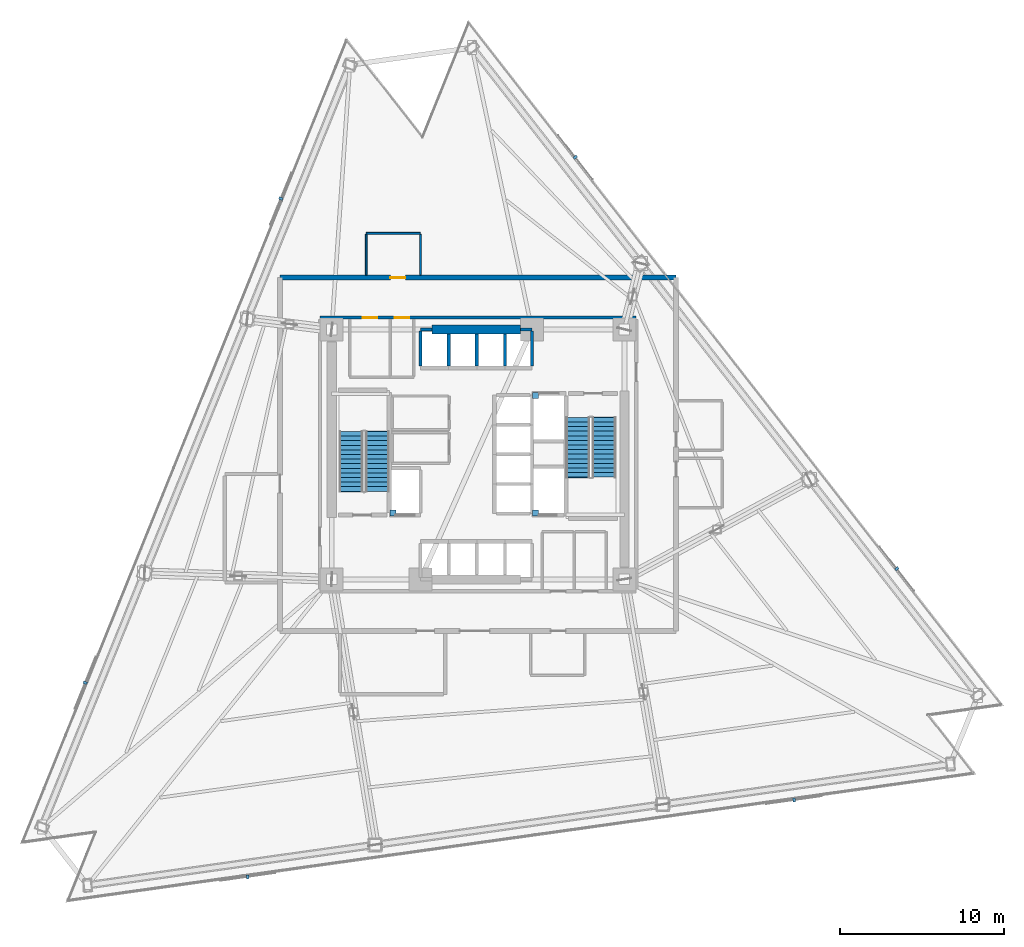
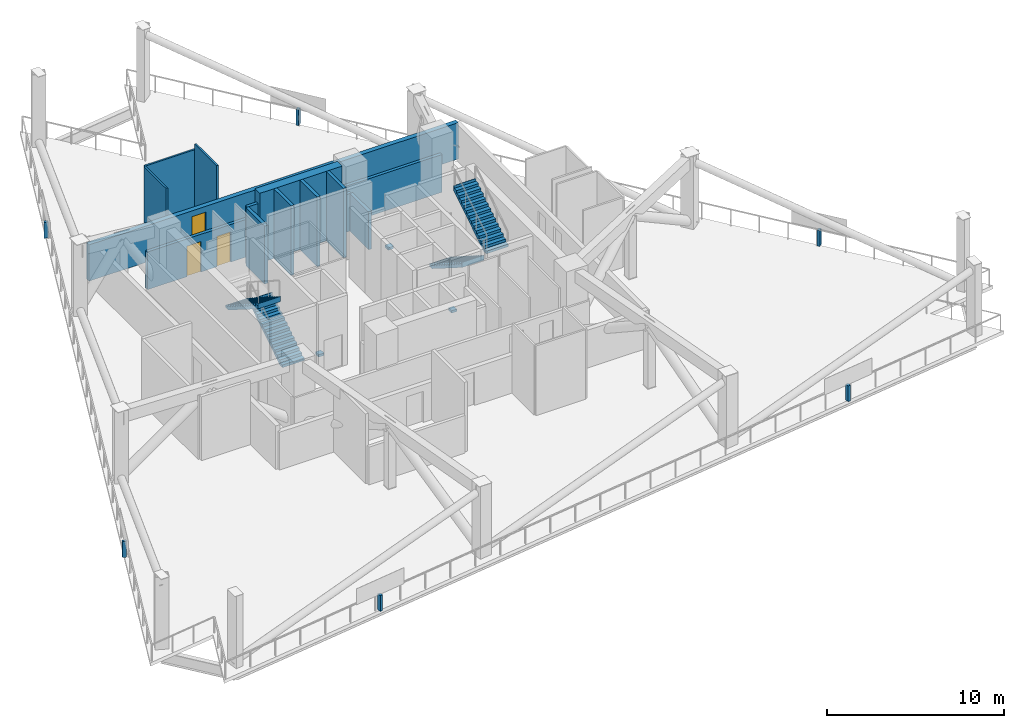
# One storey, part 8 of 13: 13 walls, 9 discrete accessories, 4 stair flights, 3 doors, 3 openings, 2 elements without a shape of their own.
"""IFC4 building model written with IfcOpenShell, lengths in metres."""

from ifc_helpers import new_model, si_unit, direction, frame, frame_2d, origin, origin_2d, place, context, subcontext, project, spatial, polyline, rectangle, outline, extrude, material, layer, layer_set, type_object, element, fill, aggregate, save


model = new_model("IFC4")

# Units and contexts
model_context = context("Model", 3, precision=1e-05, world=origin(), true_north=direction((0.0, 1.0)))
body_context = subcontext(model_context, "Body", "Model", "MODEL_VIEW")
ifc_project = project(units=[si_unit("LENGTHUNIT", "METRE"), si_unit("AREAUNIT", "SQUARE_METRE"), si_unit("VOLUMEUNIT", "CUBIC_METRE"), si_unit("PLANEANGLEUNIT", "RADIAN"), si_unit("MASSUNIT", "GRAM", prefix="KILO")], contexts=[model_context])

# Site, building, storey
site_placement = place(None, origin())
site = spatial("IfcSite", under=ifc_project, at=site_placement, CompositionType="ELEMENT")
building_placement = place(site_placement, origin())
building = spatial("IfcBuilding", under=site, at=building_placement, Name="Tharavind Bronze Gate", CompositionType="ELEMENT")
storey_placement = place(building_placement, frame((0.0, 0.0, 81.10009765625)))
storey = spatial("IfcBuildingStorey", under=building, at=storey_placement, Name="L20", CompositionType="ELEMENT", Elevation=81.10009765625)

# Wall, opening, door
ifc_material_1 = material(Name="Concrete C40/50", Category="concrete")
ifc_layer_1 = layer(ifc_material_1, 0.300048828125)
ifc_layer_set_1 = layer_set([ifc_layer_1], Name="Concrete C40/50")
wall_type_1 = type_object("IfcWallType", Name="EXTERIOR SPANDREL WALL 300", PredefinedType="STANDARD", material=ifc_layer_set_1)
wall_1_placement = place(storey_placement, frame((12.050048828125, 10.75, 0.0), z_axis=(0.0, 0.0, 1.0), x_axis=(-1.0, 0.0, 0.0)))
wall_1 = element("IfcWall", 1, at=wall_1_placement, inside=storey, type_object=wall_type_1, Name="L20 open wind floor core enclosure wall 3", PredefinedType="STANDARD", context=body_context, shape_type="SweptSolid", body=[
    extrude(rectangle(XDim=24.10009765625, YDim=0.300048828125, at=frame_2d((12.050048828125, 0.0))), origin(), (0.0, 0.0, 1.0), 2.5048828125),
])
opening_1_placement = place(wall_1_placement, frame((16.47705078125, 0.0, 0.0)))
opening_1 = element("IfcOpeningElement", 2, at=opening_1_placement, cuts=wall_1, Name="Opening ID07", PredefinedType="OPENING", context=body_context, shape_type="SweptSolid", body=[
    extrude(rectangle(XDim=0.89990234375, YDim=2.10009765625, at=frame_2d((0.449951171875, 1.050048828125))), frame((0.0, 0.15990234375, 0.0), z_axis=(0.0, -1.0, 0.0), x_axis=(1.0, 0.0, 0.0)), (0.0, 0.0, 1.0), 0.320048828125),
])
ifc_material_2 = material(Name="Galvanised Fire Steel", Category="steel")
door_type = type_object("IfcDoorType", Name="PLANT AND RISER FIRE DOOR 900X2100", OperationType="SINGLE_SWING_LEFT", PredefinedType="DOOR", material=ifc_material_2)
door_1_placement = place(opening_1_placement, origin())
door_1 = element("IfcDoor", 3, at=door_1_placement, inside=storey, type_object=door_type, Name="L20 Booster Pump Plant Room door", OperationType="SINGLE_SWING_LEFT", OverallHeight=2.10009765625, OverallWidth=0.89990234375, PredefinedType="DOOR", context=body_context, shape_type="SweptSolid", body=[
    extrude(rectangle(XDim=0.89990234375, YDim=2.10009765625, at=frame_2d((0.449951171875, 1.050048828125))), frame((0.0, 0.02490234375, 0.0), z_axis=(0.0, -1.0, 0.0), x_axis=(1.0, 0.0, 0.0)), (0.0, 0.0, 1.0), 0.050048828125),
])
fill(opening_1, door_1)

# Wall, openings, doors
ifc_material_3 = material(Name="Aerated Concrete Block", Category="concrete")
ifc_layer_2 = layer(ifc_material_3, 0.199951171875)
ifc_layer_set_2 = layer_set([ifc_layer_2], Name="Aerated Concrete Block")
wall_type_2 = type_object("IfcWallType", Name="FIRE RATED PARTITION 200", PredefinedType="PARTITIONING", material=ifc_layer_set_2)
wall_2_placement = place(storey_placement, frame((9.6201171875, 8.320068359375, 0.0), z_axis=(0.0, 0.0, 1.0), x_axis=(-1.0, 0.0, 0.0)))
wall_2 = element("IfcWall", 4, at=wall_2_placement, inside=storey, type_object=wall_type_2, Name="L20 north core corridor wall", PredefinedType="PARTITIONING", context=body_context, shape_type="SweptSolid", body=[
    extrude(rectangle(XDim=19.240234375, YDim=0.199951171875, at=frame_2d((9.6201171875, 0.0))), origin(), (0.0, 0.0, 1.0), 2.60498046875),
])
opening_2_placement = place(wall_2_placement, frame((15.7451171875, 0.0, 0.0)))
opening_2 = element("IfcOpeningElement", 5, at=opening_2_placement, cuts=wall_2, Name="Opening ID07", PredefinedType="OPENING", context=body_context, shape_type="SweptSolid", body=[
    extrude(rectangle(XDim=0.89990234375, YDim=2.10009765625, at=frame_2d((0.449951171875, 1.050048828125))), frame((0.0, 0.11009765625, 0.0), z_axis=(0.0, -1.0, 0.0), x_axis=(1.0, 0.0, 0.0)), (0.0, 0.0, 1.0), 0.219951171875),
])
opening_3_placement = place(wall_2_placement, frame((13.794921875, 0.0, 0.0)))
opening_3 = element("IfcOpeningElement", 6, at=opening_3_placement, cuts=wall_2, Name="Opening ID07", PredefinedType="OPENING", context=body_context, shape_type="SweptSolid", body=[
    extrude(rectangle(XDim=0.89990234375, YDim=2.10009765625, at=frame_2d((0.449951171875, 1.050048828125))), frame((0.0, 0.11009765625, 0.0), z_axis=(0.0, -1.0, 0.0), x_axis=(1.0, 0.0, 0.0)), (0.0, 0.0, 1.0), 0.219951171875),
])
door_2_placement = place(opening_2_placement, frame((0.89990234375, 0.0, 0.0), z_axis=(0.0, 0.0, 1.0), x_axis=(-1.0, 0.0, 0.0)))
door_2 = element("IfcDoor", 7, at=door_2_placement, inside=storey, type_object=door_type, Name="L20 MEP Switchgear Room fire door", OperationType="SINGLE_SWING_LEFT", OverallHeight=2.10009765625, OverallWidth=0.89990234375, PredefinedType="DOOR", context=body_context, shape_type="SweptSolid", body=[
    extrude(rectangle(XDim=0.89990234375, YDim=2.10009765625, at=frame_2d((0.449951171875, 1.050048828125))), frame((0.0, 0.02490234375, 0.0), z_axis=(0.0, -1.0, 0.0), x_axis=(1.0, 0.0, 0.0)), (0.0, 0.0, 1.0), 0.050048828125),
])
fill(opening_2, door_2)
door_3_placement = place(opening_3_placement, frame((0.89990234375, 0.0, 0.0), z_axis=(0.0, 0.0, 1.0), x_axis=(-1.0, 0.0, 0.0)))
door_3 = element("IfcDoor", 8, at=door_3_placement, inside=storey, type_object=door_type, Name="L20 Mechanical Riser Plant Room fire door", OperationType="SINGLE_SWING_LEFT", OverallHeight=2.10009765625, OverallWidth=0.89990234375, PredefinedType="DOOR", context=body_context, shape_type="SweptSolid", body=[
    extrude(rectangle(XDim=0.89990234375, YDim=2.10009765625, at=frame_2d((0.449951171875, 1.050048828125))), frame((0.0, 0.02490234375, 0.0), z_axis=(0.0, -1.0, 0.0), x_axis=(1.0, 0.0, 0.0)), (0.0, 0.0, 1.0), 0.050048828125),
])
fill(opening_3, door_3)

# Walls
ifc_material_4 = material(Name="Metal Stud Gypsum Partition", Category="gypsum")
ifc_layer_3 = layer(ifc_material_4, 0.1201171875)
ifc_layer_set_3 = layer_set([ifc_layer_3], Name="Metal Stud Gypsum Partition")
wall_type_3 = type_object("IfcWallType", Name="INTERIOR PARTITION WALL 120", PredefinedType="PARTITIONING", material=ifc_layer_set_3)
wall_3_placement = place(storey_placement, frame((-6.800048828125, 13.449951171875, 0.0), z_axis=(0.0, 0.0, 1.0), x_axis=(1.0, 0.0, 0.0)))
element("IfcWall", 9, at=wall_3_placement, inside=storey, type_object=wall_type_3, Name="L20 Booster Pump Plant Room partition", PredefinedType="PARTITIONING", context=body_context, shape_type="SweptSolid", body=[
    extrude(rectangle(XDim=3.300048828125, YDim=0.1201171875, at=frame_2d((1.64990234375, 0.0))), origin(), (0.0, 0.0, 1.0), 4.40478515625),
])
wall_4_placement = place(storey_placement, frame((-3.5, 13.385009765625, 0.0), z_axis=(0.0, 0.0, 1.0), x_axis=(0.0, -1.0, 0.0)))
element("IfcWall", 10, at=wall_4_placement, inside=storey, type_object=wall_type_3, Name="L20 Booster Pump Plant Room partition", PredefinedType="PARTITIONING", context=body_context, shape_type="SweptSolid", body=[
    extrude(rectangle(XDim=2.47998046875, YDim=0.1201171875, at=frame_2d((1.239990234375, 0.0))), origin(), (0.0, 0.0, 1.0), 4.809814453125),
])
wall_5_placement = place(storey_placement, frame((-6.800048828125, 10.905029296875, 0.0), z_axis=(0.0, 0.0, 1.0), x_axis=(0.0, 1.0, 0.0)))
element("IfcWall", 11, at=wall_5_placement, inside=storey, type_object=wall_type_3, Name="L20 Booster Pump Plant Room partition", PredefinedType="PARTITIONING", context=body_context, shape_type="SweptSolid", body=[
    extrude(rectangle(XDim=2.47998046875, YDim=0.1201171875, at=frame_2d((1.239990234375, 0.0))), origin(), (0.0, 0.0, 1.0), 4.40478515625),
])
ifc_material_5 = material(Name="Concrete C60/75", Category="concrete")
ifc_layer_4 = layer(ifc_material_5, 0.550048828125)
ifc_layer_set_4 = layer_set([ifc_layer_4], Name="Concrete C60/75")
wall_type_4 = type_object("IfcWallType", Name="RC CORE SHEAR WALL 550", PredefinedType="SHEAR", material=ifc_layer_set_4)
wall_6_placement = place(storey_placement, frame((-2.800048828125, 7.60009765625, 0.0), z_axis=(0.0, 0.0, 1.0), x_axis=(1.0, 0.0, 0.0)))
element("IfcWall", 12, at=wall_6_placement, inside=storey, type_object=wall_type_4, Name="L20 north core shear wall", PredefinedType="SHEAR", context=body_context, shape_type="SweptSolid", body=[
    extrude(rectangle(XDim=5.380126953125, YDim=0.550048828125, at=frame_2d((2.68994140625, 0.0))), origin(), (0.0, 0.0, 1.0), 4.809814453125),
])
ifc_layer_5 = layer(ifc_material_1, 0.199951171875)
ifc_layer_set_5 = layer_set([ifc_layer_5], Name="Concrete C40/50")
wall_type_5 = type_object("IfcWallType", Name="SHAFT ENCLOSURE WALL 200", PredefinedType="PARTITIONING", material=ifc_layer_set_5)
wall_7_placement = place(storey_placement, frame((-3.5, 7.60009765625, 0.0), z_axis=(0.0, 0.0, 1.0), x_axis=(1.0, 0.0, 0.0)))
element("IfcWall", 13, at=wall_7_placement, inside=storey, type_object=wall_type_5, Name="L20 lift PL5 shaft N enclosure wall", PredefinedType="PARTITIONING", context=body_context, shape_type="SweptSolid", body=[
    extrude(rectangle(XDim=0.699951171875, YDim=0.199951171875, at=frame_2d((0.35009765625, 0.0))), origin(), (0.0, 0.0, 1.0), 4.0048828125),
])
wall_8_placement = place(storey_placement, frame((-3.5, 5.3798828125, 0.0), z_axis=(0.0, 0.0, 1.0), x_axis=(0.0, 1.0, 0.0)))
element("IfcWall", 14, at=wall_8_placement, inside=storey, type_object=wall_type_5, Name="L20 lift PL5 shaft W enclosure wall", PredefinedType="PARTITIONING", context=body_context, shape_type="SweptSolid", body=[
    extrude(rectangle(XDim=2.115234375, YDim=0.199951171875, at=frame_2d((1.0576171875, 0.0))), origin(), (0.0, 0.0, 1.0), 4.0048828125),
])
for number, where, z_axis, x_axis, name in (
    (15, (-1.78759765625, 5.3798828125, 0.0), (0.0, 0.0, 1.0), (0.0, 1.0, 0.0), "L20 lift PL5 shaft E enclosure wall"),
    (16, (-0.074951171875, 5.3798828125, 0.0), (0.0, 0.0, 1.0), (0.0, 1.0, 0.0), "L20 lift PL6 shaft E enclosure wall"),
    (17, (1.637451171875, 5.3798828125, 0.0), (0.0, 0.0, 1.0), (0.0, 1.0, 0.0), "L20 lift PL7 shaft E enclosure wall"),
):
    element("IfcWall", number, at=place(storey_placement, frame(where, z_axis=z_axis, x_axis=x_axis)), inside=storey, type_object=wall_type_5, Name=name, PredefinedType="PARTITIONING", context=body_context, shape_type="SweptSolid", body=[
        extrude(rectangle(XDim=1.940185546875, YDim=0.199951171875, at=frame_2d((0.97021484375, 0.0))), origin(), (0.0, 0.0, 1.0), 4.809814453125),
    ])
wall_9_placement = place(storey_placement, frame((2.580078125, 7.60009765625, 0.0), z_axis=(0.0, 0.0, 1.0), x_axis=(1.0, 0.0, 0.0)))
element("IfcWall", 18, at=wall_9_placement, inside=storey, type_object=wall_type_5, Name="L20 lift PL8 shaft N enclosure wall", PredefinedType="PARTITIONING", context=body_context, shape_type="SweptSolid", body=[
    extrude(rectangle(XDim=0.699951171875, YDim=0.199951171875, at=frame_2d((0.35009765625, 0.0))), origin(), (0.0, 0.0, 1.0), 2.60498046875),
])
wall_10_placement = place(storey_placement, frame((3.280029296875, 5.3798828125, 0.0), z_axis=(0.0, 0.0, 1.0), x_axis=(0.0, 1.0, 0.0)))
element("IfcWall", 19, at=wall_10_placement, inside=storey, type_object=wall_type_5, Name="L20 lift PL8 shaft E enclosure wall", PredefinedType="PARTITIONING", context=body_context, shape_type="SweptSolid", body=[
    extrude(rectangle(XDim=2.115234375, YDim=0.199951171875, at=frame_2d((1.0576171875, 0.0))), origin(), (0.0, 0.0, 1.0), 2.60498046875),
])

# Stair, stair flights
stair_type = type_object("IfcStairType", Name="CORE HALF TURN STAIR 1450", PredefinedType="HALF_TURN_STAIR", material=ifc_material_1)
stair_1_placement = place(storey_placement, origin())
stair_1 = element("IfcStair", 20, at=stair_1_placement, inside=storey, type_object=stair_type, Name="L20 Protected Exit Stair ST1", PredefinedType="HALF_TURN_STAIR")
stair_flight_type = type_object("IfcStairFlightType", Name="CORE STAIR FLIGHT 1450", PredefinedType="STRAIGHT", material=ifc_material_1)
stair_flight_1_placement = place(storey_placement, frame((-6.125, -2.25, 0.0), z_axis=(0.0, 0.0, 1.0), x_axis=(0.0, 1.0, 0.0)))
stair_flight_1 = element("IfcStairFlight", 21, at=stair_flight_1_placement, type_object=stair_flight_type, Name="ST1 flight 1", NumberOfRisers=14, NumberOfTreads=13, PredefinedType="STRAIGHT", RiserHeight=0.178571429, TreadLength=0.28, context=body_context, shape_type="SweptSolid", body=[
    extrude(outline(polyline([(0.0, 0.0), (0.0, 0.178466796875), (0.280029296875, 0.178466796875), (0.280029296875, 0.357177734375), (0.56005859375, 0.357177734375), (0.56005859375, 0.53564453125), (0.840087890625, 0.53564453125), (0.840087890625, 0.71435546875), (1.1201171875, 0.71435546875), (1.1201171875, 0.892822265625), (1.39990234375, 0.892822265625), (1.39990234375, 1.071533203125), (1.679931640625, 1.071533203125), (1.679931640625, 1.25), (1.9599609375, 1.25), (1.9599609375, 1.428466796875), (2.239990234375, 1.428466796875), (2.239990234375, 1.607177734375), (2.52001953125, 1.607177734375), (2.52001953125, 1.78564453125), (2.800048828125, 1.78564453125), (2.800048828125, 1.96435546875), (3.080078125, 1.96435546875), (3.080078125, 2.142822265625), (3.360107421875, 2.142822265625), (3.360107421875, 2.321533203125), (3.639892578125, 2.321533203125), (3.639892578125, 2.5), (3.676025390625, 2.5), (3.676025390625, 2.1435546875), (0.27880859375, 0.0), (0.0, 0.0)])), frame((0.0, 0.72509765625, 0.0), z_axis=(0.0, -1.0, 0.0), x_axis=(1.0, 0.0, 0.0)), (0.0, 0.0, 1.0), 1.449951171875),
])
stair_flight_2_placement = place(storey_placement, frame((-7.72509765625, 1.389892578125, 2.5), z_axis=(0.0, 0.0, 1.0), x_axis=(0.0, -1.0, 0.0)))
stair_flight_2 = element("IfcStairFlight", 22, at=stair_flight_2_placement, type_object=stair_flight_type, Name="ST1 flight 2", NumberOfRisers=14, NumberOfTreads=13, PredefinedType="STRAIGHT", RiserHeight=0.178571429, TreadLength=0.28, context=body_context, shape_type="SweptSolid", body=[
    extrude(outline(polyline([(0.0, 0.0), (0.0, 0.178466796875), (0.280029296875, 0.178466796875), (0.280029296875, 0.357177734375), (0.56005859375, 0.357177734375), (0.56005859375, 0.53564453125), (0.840087890625, 0.53564453125), (0.840087890625, 0.71435546875), (1.1201171875, 0.71435546875), (1.1201171875, 0.892822265625), (1.39990234375, 0.892822265625), (1.39990234375, 1.071533203125), (1.679931640625, 1.071533203125), (1.679931640625, 1.25), (1.9599609375, 1.25), (1.9599609375, 1.428466796875), (2.239990234375, 1.428466796875), (2.239990234375, 1.607177734375), (2.52001953125, 1.607177734375), (2.52001953125, 1.78564453125), (2.800048828125, 1.78564453125), (2.800048828125, 1.96435546875), (3.080078125, 1.96435546875), (3.080078125, 2.142822265625), (3.360107421875, 2.142822265625), (3.360107421875, 2.321533203125), (3.639892578125, 2.321533203125), (3.639892578125, 2.5), (3.676025390625, 2.5), (3.676025390625, 2.1435546875), (0.27880859375, 0.0), (0.0, 0.0)])), frame((0.0, 0.72509765625, 0.0), z_axis=(0.0, -1.0, 0.0), x_axis=(1.0, 0.0, 0.0)), (0.0, 0.0, 1.0), 1.449951171875),
])
aggregate(stair_1, [stair_flight_1, stair_flight_2])

stair_2_placement = place(storey_placement, origin())
stair_2 = element("IfcStair", 23, at=stair_2_placement, inside=storey, type_object=stair_type, Name="L20 Protected Exit Stair ST2", PredefinedType="HALF_TURN_STAIR")
stair_flight_3_placement = place(storey_placement, frame((6.074951171875, 2.25, 0.0), z_axis=(0.0, 0.0, 1.0), x_axis=(0.0, -1.0, 0.0)))
stair_flight_3 = element("IfcStairFlight", 24, at=stair_flight_3_placement, type_object=stair_flight_type, Name="ST2 flight 1", NumberOfRisers=14, NumberOfTreads=13, PredefinedType="STRAIGHT", RiserHeight=0.178571429, TreadLength=0.28, context=body_context, shape_type="SweptSolid", body=[
    extrude(outline(polyline([(0.0, 0.0), (0.0, 0.178466796875), (0.280029296875, 0.178466796875), (0.280029296875, 0.357177734375), (0.56005859375, 0.357177734375), (0.56005859375, 0.53564453125), (0.840087890625, 0.53564453125), (0.840087890625, 0.71435546875), (1.1201171875, 0.71435546875), (1.1201171875, 0.892822265625), (1.39990234375, 0.892822265625), (1.39990234375, 1.071533203125), (1.679931640625, 1.071533203125), (1.679931640625, 1.25), (1.9599609375, 1.25), (1.9599609375, 1.428466796875), (2.239990234375, 1.428466796875), (2.239990234375, 1.607177734375), (2.52001953125, 1.607177734375), (2.52001953125, 1.78564453125), (2.800048828125, 1.78564453125), (2.800048828125, 1.96435546875), (3.080078125, 1.96435546875), (3.080078125, 2.142822265625), (3.360107421875, 2.142822265625), (3.360107421875, 2.321533203125), (3.639892578125, 2.321533203125), (3.639892578125, 2.5), (3.676025390625, 2.5), (3.676025390625, 2.1435546875), (0.27880859375, 0.0), (0.0, 0.0)])), frame((0.0, 0.72509765625, 0.0), z_axis=(0.0, -1.0, 0.0), x_axis=(1.0, 0.0, 0.0)), (0.0, 0.0, 1.0), 1.449951171875),
])
stair_flight_4_placement = place(storey_placement, frame((7.675048828125, -1.389892578125, 2.5), z_axis=(0.0, 0.0, 1.0), x_axis=(0.0, 1.0, 0.0)))
stair_flight_4 = element("IfcStairFlight", 25, at=stair_flight_4_placement, type_object=stair_flight_type, Name="ST2 flight 2", NumberOfRisers=14, NumberOfTreads=13, PredefinedType="STRAIGHT", RiserHeight=0.178571429, TreadLength=0.28, context=body_context, shape_type="SweptSolid", body=[
    extrude(outline(polyline([(0.0, 0.0), (0.0, 0.178466796875), (0.280029296875, 0.178466796875), (0.280029296875, 0.357177734375), (0.56005859375, 0.357177734375), (0.56005859375, 0.53564453125), (0.840087890625, 0.53564453125), (0.840087890625, 0.71435546875), (1.1201171875, 0.71435546875), (1.1201171875, 0.892822265625), (1.39990234375, 0.892822265625), (1.39990234375, 1.071533203125), (1.679931640625, 1.071533203125), (1.679931640625, 1.25), (1.9599609375, 1.25), (1.9599609375, 1.428466796875), (2.239990234375, 1.428466796875), (2.239990234375, 1.607177734375), (2.52001953125, 1.607177734375), (2.52001953125, 1.78564453125), (2.800048828125, 1.78564453125), (2.800048828125, 1.96435546875), (3.080078125, 1.96435546875), (3.080078125, 2.142822265625), (3.360107421875, 2.142822265625), (3.360107421875, 2.321533203125), (3.639892578125, 2.321533203125), (3.639892578125, 2.5), (3.676025390625, 2.5), (3.676025390625, 2.1435546875), (0.27880859375, 0.0), (0.0, 0.0)])), frame((0.0, 0.72509765625, 0.0), z_axis=(0.0, -1.0, 0.0), x_axis=(1.0, 0.0, 0.0)), (0.0, 0.0, 1.0), 1.449951171875),
])
aggregate(stair_2, [stair_flight_3, stair_flight_4])

# Discrete accessories
ifc_material_6 = material(Name="Galvanised Steel S355", Category="steel")
discrete_accessory_type_1 = type_object("IfcDiscreteAccessoryType", Name="LIFT GUIDE RAIL BRACKET", PredefinedType="BRACKET", material=ifc_material_6)
for number, where, z_axis, x_axis, name in (
    (26, (-5.179931640625, -3.580078125, 1.1201171875), (0.0, 0.0, 1.0), (1.0, 0.0, 0.0), "Lift FFL1 guide rail bracket at L20"),
    (27, (3.5, 3.580078125, 1.1201171875), (0.0, 0.0, 1.0), (1.0, 0.0, 0.0), "Lift FFL2 guide rail bracket at L20"),
    (28, (3.5, -3.580078125, 1.1201171875), (0.0, 0.0, 1.0), (1.0, 0.0, 0.0), "Lift SVL1 guide rail bracket at L20"),
):
    element("IfcDiscreteAccessory", number, at=place(storey_placement, frame(where, z_axis=z_axis, x_axis=x_axis)), inside=storey, type_object=discrete_accessory_type_1, Name=name, PredefinedType="BRACKET", context=body_context, shape_type="SweptSolid", body=[
        extrude(rectangle(XDim=0.360107421875, YDim=0.360107421875, at=origin_2d()), origin(), (0.0, 0.0, 1.0), 0.159912109375),
    ])
ifc_material_7 = material(Name="Stainless Steel 316", Category="steel")
discrete_accessory_type_2 = type_object("IfcDiscreteAccessoryType", Name="SOLAR SCREEN STANDOFF BRACKET", PredefinedType="BRACKET", material=ifc_material_7)
for number, where, z_axis, x_axis, name in (
    (29, (-11.99560546875, 15.56201171875, -0.000244140625), (0.0, 0.0, 1.0), (-0.374606593416, -0.927183854567, 0.0), "L20 wind floor screen base stanchion 1.1"),
    (30, (-23.8974609375, -13.895751953125, -0.000244140625), (0.0, 0.0, 1.0), (-0.374606593416, -0.927183854567, 0.0), "L20 wind floor screen base stanchion 1.2"),
    (31, (-14.0126953125, -25.70361328125, -0.000244140625), (0.0, 0.0, 1.0), (0.990268068742, 0.13917310096, 0.0), "L20 wind floor screen base stanchion 2.1"),
    (32, (19.231689453125, -21.031494140625, -0.000244140625), (0.0, 0.0, 1.0), (0.990268068742, 0.13917310096, 0.0), "L20 wind floor screen base stanchion 2.2"),
    (33, (25.478759765625, -6.956298828125, -0.000244140625), (0.0, 0.0, 1.0), (-0.615660099987, 0.788011828138, 0.0), "L20 wind floor screen base stanchion 3.1"),
    (34, (5.918701171875, 18.07958984375, -0.000244140625), (0.0, 0.0, 1.0), (-0.615660099987, 0.788011828138, 0.0), "L20 wind floor screen base stanchion 3.2"),
):
    element("IfcDiscreteAccessory", number, at=place(storey_placement, frame(where, z_axis=z_axis, x_axis=x_axis)), inside=storey, type_object=discrete_accessory_type_2, Name=name, PredefinedType="BRACKET", context=body_context, shape_type="SweptSolid", body=[
        extrude(rectangle(XDim=0.159912109375, YDim=0.239990234375, at=origin_2d()), origin(), (0.0, 0.0, 1.0), 1.10009765625),
    ])

save(model, "model.ifc")
